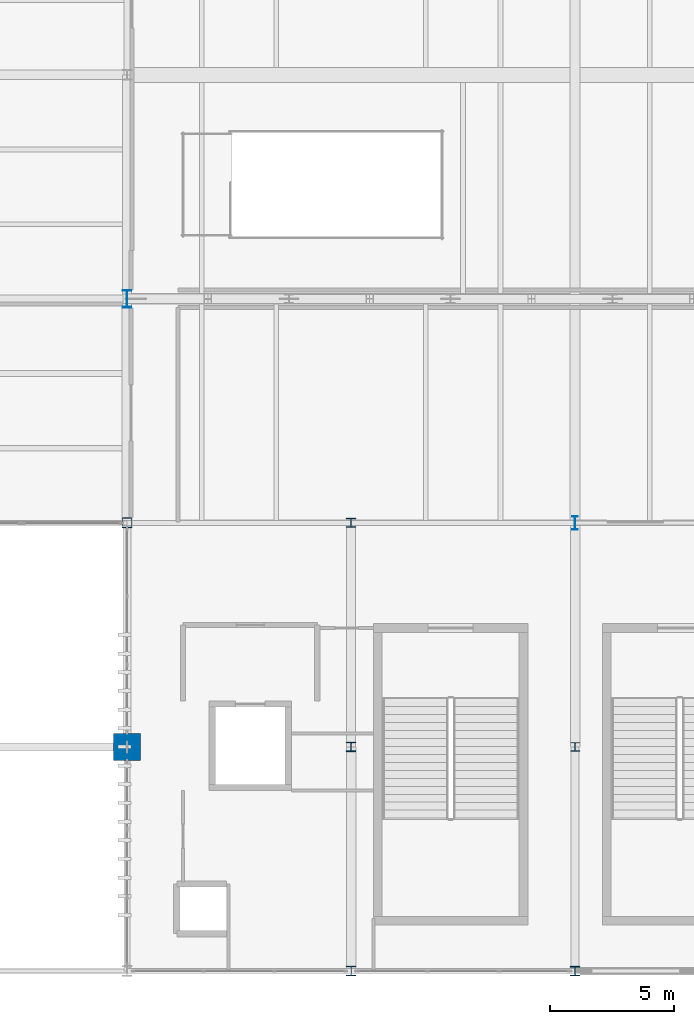
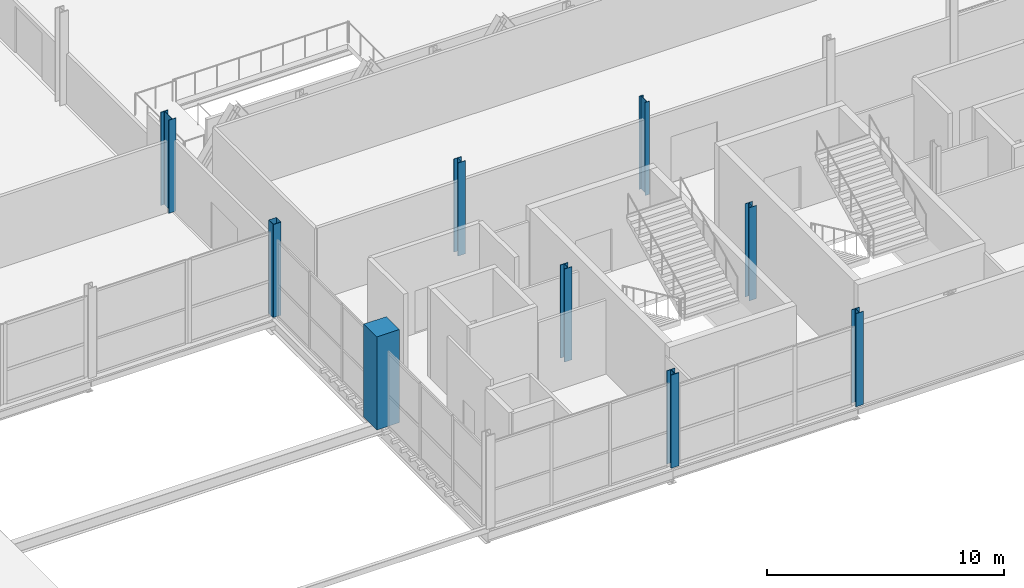
# One storey, part 9 of 224: 9 columns.
"""IFC4 building model written with IfcOpenShell, lengths in metres."""

from ifc_helpers import new_model, si_unit, direction, frame, origin, origin_2d, place, context, subcontext, project, spatial, rectangle, hollow_rectangle, i_section, extrude, material, material_profile, profile_set, type_object, element, save


model = new_model("IFC4")

# Units and contexts
model_context = context("Model", 3, precision=1e-05, world=origin(), true_north=direction((0.0, 1.0)))
body_context = subcontext(model_context, "Body", "Model", "MODEL_VIEW")
ifc_project = project(units=[si_unit("LENGTHUNIT", "METRE"), si_unit("AREAUNIT", "SQUARE_METRE"), si_unit("VOLUMEUNIT", "CUBIC_METRE"), si_unit("PLANEANGLEUNIT", "RADIAN"), si_unit("MASSUNIT", "GRAM", prefix="KILO")], contexts=[model_context])

# Site, building, storey
site_placement = place(None, origin())
site = spatial("IfcSite", under=ifc_project, at=site_placement, CompositionType="ELEMENT")
building_placement = place(site_placement, origin())
building = spatial("IfcBuilding", under=site, at=building_placement, Name="Qamarlyn Nura Convention Centre", CompositionType="ELEMENT")
storey_placement = place(building_placement, frame((0.0, 0.0, 10.800048828125)))
storey = spatial("IfcBuildingStorey", under=building, at=storey_placement, Name="L02", CompositionType="ELEMENT", Elevation=10.800048828125)

# Columns
ifc_material_1 = material(Name="Steel ASTM A500 Grade C", Category="steel")
ifc_material_profile_1 = material_profile(ifc_material_1, hollow_rectangle(XDim=0.39990234375, YDim=0.39990234375, WallThickness=0.01611328125, InnerFilletRadius=0.01611328125, OuterFilletRadius=0.031982421875, at=origin_2d()), Name="HSS400X400X16")
ifc_profile_set_1 = profile_set([ifc_material_profile_1], Name="Steel ASTM A500 Grade C")
column_type_1 = type_object("IfcColumnType", Name="COL-HSS-1", PredefinedType="COLUMN", material=ifc_profile_set_1)
column_1_placement = place(storey_placement, frame((153.0, 18.0, 0.0), z_axis=(0.0, 0.0, 1.0), x_axis=(1.0, 0.0, 0.0)))
element("IfcColumn", 1, at=column_1_placement, inside=storey, type_object=column_type_1, Name="L02 column 13/C", PredefinedType="COLUMN", context=body_context, shape_type="SweptSolid", body=[
    extrude(hollow_rectangle(XDim=0.39990234375, YDim=0.39990234375, WallThickness=0.01611328125, InnerFilletRadius=0.01611328125, OuterFilletRadius=0.031982421875, at=origin_2d()), origin(), (0.0, 0.0, 1.0), 4.800048828125),
])
ifc_material_2 = material(Name="Concrete C50/60", Category="concrete")
ifc_material_profile_2 = material_profile(ifc_material_2, rectangle(XDim=1.10009765625, YDim=1.10009765625, at=origin_2d()), Name="RC 1100x1100")
ifc_profile_set_2 = profile_set([ifc_material_profile_2], Name="Concrete C50/60")
column_type_2 = type_object("IfcColumnType", Name="COL-MEGA-2", PredefinedType="COLUMN", material=ifc_profile_set_2)
column_2_placement = place(storey_placement, frame((153.0, 9.0, 0.0), z_axis=(0.0, 0.0, 1.0), x_axis=(1.0, 0.0, 0.0)))
element("IfcColumn", 2, at=column_2_placement, inside=storey, type_object=column_type_2, Name="L02 column 13/B", PredefinedType="COLUMN", context=body_context, shape_type="SweptSolid", body=[
    extrude(rectangle(XDim=1.10009765625, YDim=1.10009765625, at=origin_2d()), origin(), (0.0, 0.0, 1.0), 4.800048828125),
])
ifc_material_3 = material(Name="Steel ASTM A992", Category="steel")
ifc_material_profile_3 = material_profile(ifc_material_3, i_section(OverallWidth=0.39892578125, OverallDepth=0.39306640625, WebThickness=0.022705078125, FlangeThickness=0.03662109375, FilletRadius=0.01806640625, at=origin_2d()), Name="W360X287")
ifc_profile_set_3 = profile_set([ifc_material_profile_3], Name="Steel ASTM A992")
column_type_3 = type_object("IfcColumnType", Name="COL-WING-1", PredefinedType="COLUMN", material=ifc_profile_set_3)
column_3_placement = place(storey_placement, frame((162.0, 0.0, 0.0), z_axis=(0.0, 0.0, 1.0), x_axis=(1.0, 0.0, 0.0)))
element("IfcColumn", 3, at=column_3_placement, inside=storey, type_object=column_type_3, Name="L02 column 14/A", PredefinedType="COLUMN", context=body_context, shape_type="SweptSolid", body=[
    extrude(i_section(OverallWidth=0.39892578125, OverallDepth=0.39306640625, WebThickness=0.022705078125, FlangeThickness=0.03662109375, FilletRadius=0.01806640625, at=origin_2d()), origin(), (0.0, 0.0, 1.0), 4.800048828125),
])
ifc_material_profile_4 = material_profile(ifc_material_3, i_section(OverallWidth=0.3740234375, OverallDepth=0.3720703125, WebThickness=0.016357421875, FlangeThickness=0.026123046875, FilletRadius=0.01611328125, at=origin_2d()), Name="W360X196")
ifc_profile_set_4 = profile_set([ifc_material_profile_4], Name="Steel ASTM A992")
column_type_4 = type_object("IfcColumnType", Name="COL-WING-2", PredefinedType="COLUMN", material=ifc_profile_set_4)
for number, where, z_axis, x_axis, name in (
    (4, (162.0, 9.0, 0.0), (0.0, 0.0, 1.0), (1.0, 0.0, 0.0), "L02 column 14/B"),
    (5, (171.0, 0.0, 0.0), (0.0, 0.0, 1.0), (1.0, 0.0, 0.0), "L02 column 15/A"),
):
    element("IfcColumn", number, at=place(storey_placement, frame(where, z_axis=z_axis, x_axis=x_axis)), inside=storey, type_object=column_type_4, Name=name, PredefinedType="COLUMN", context=body_context, shape_type="SweptSolid", body=[
        extrude(i_section(OverallWidth=0.3740234375, OverallDepth=0.3720703125, WebThickness=0.016357421875, FlangeThickness=0.026123046875, FilletRadius=0.01611328125, at=origin_2d()), origin(), (0.0, 0.0, 1.0), 4.800048828125),
    ])
ifc_material_profile_5 = material_profile(ifc_material_3, i_section(OverallWidth=0.368896484375, OverallDepth=0.35595703125, WebThickness=0.01123046875, FlangeThickness=0.01806640625, FilletRadius=0.014892578125, at=origin_2d()), Name="W360X134")
ifc_profile_set_5 = profile_set([ifc_material_profile_5], Name="Steel ASTM A992")
column_type_5 = type_object("IfcColumnType", Name="COL-WING-3", PredefinedType="COLUMN", material=ifc_profile_set_5)
for number, where, z_axis, x_axis, name in (
    (6, (162.0, 18.0, 0.0), (0.0, 0.0, 1.0), (1.0, 0.0, 0.0), "L02 column 14/C"),
    (7, (171.0, 9.0, 0.0), (0.0, 0.0, 1.0), (1.0, 0.0, 0.0), "L02 column 15/B"),
):
    element("IfcColumn", number, at=place(storey_placement, frame(where, z_axis=z_axis, x_axis=x_axis)), inside=storey, type_object=column_type_5, Name=name, PredefinedType="COLUMN", context=body_context, shape_type="SweptSolid", body=[
        extrude(i_section(OverallWidth=0.368896484375, OverallDepth=0.35595703125, WebThickness=0.01123046875, FlangeThickness=0.01806640625, FilletRadius=0.014892578125, at=origin_2d()), origin(), (0.0, 0.0, 1.0), 4.800048828125),
    ])
ifc_material_profile_6 = material_profile(ifc_material_3, i_section(OverallWidth=0.35498046875, OverallDepth=0.695068359375, WebThickness=0.015380859375, FlangeThickness=0.02490234375, FilletRadius=0.01806640625, at=origin_2d()), Name="W690X217")
ifc_profile_set_6 = profile_set([ifc_material_profile_6], Name="Steel ASTM A992")
column_type_6 = type_object("IfcColumnType", Name="COL-WING-5", PredefinedType="COLUMN", material=ifc_profile_set_6)
column_4_placement = place(storey_placement, frame((153.0, 27.0, 0.0), z_axis=(0.0, 0.0, 1.0), x_axis=(1.0, 0.0, 0.0)))
element("IfcColumn", 8, at=column_4_placement, inside=storey, type_object=column_type_6, Name="L02 column 13/D", PredefinedType="COLUMN", context=body_context, shape_type="SweptSolid", body=[
    extrude(i_section(OverallWidth=0.35498046875, OverallDepth=0.695068359375, WebThickness=0.015380859375, FlangeThickness=0.02490234375, FilletRadius=0.01806640625, at=origin_2d()), origin(), (0.0, 0.0, 1.0), 4.800048828125),
])
ifc_material_profile_7 = material_profile(ifc_material_3, i_section(OverallWidth=0.2109375, OverallDepth=0.5390625, WebThickness=0.01171875, FlangeThickness=0.018798828125, FilletRadius=0.013916015625, at=origin_2d()), Name="W530X109")
ifc_profile_set_7 = profile_set([ifc_material_profile_7], Name="Steel ASTM A992")
column_type_7 = type_object("IfcColumnType", Name="COL-WING-7", PredefinedType="COLUMN", material=ifc_profile_set_7)
column_5_placement = place(storey_placement, frame((171.0, 18.0, 0.0), z_axis=(0.0, 0.0, 1.0), x_axis=(1.0, 0.0, 0.0)))
element("IfcColumn", 9, at=column_5_placement, inside=storey, type_object=column_type_7, Name="L02 column 15/C", PredefinedType="COLUMN", context=body_context, shape_type="SweptSolid", body=[
    extrude(i_section(OverallWidth=0.2109375, OverallDepth=0.5390625, WebThickness=0.01171875, FlangeThickness=0.018798828125, FilletRadius=0.013916015625, at=origin_2d()), origin(), (0.0, 0.0, 1.0), 4.800048828125),
])

save(model, "model.ifc")
